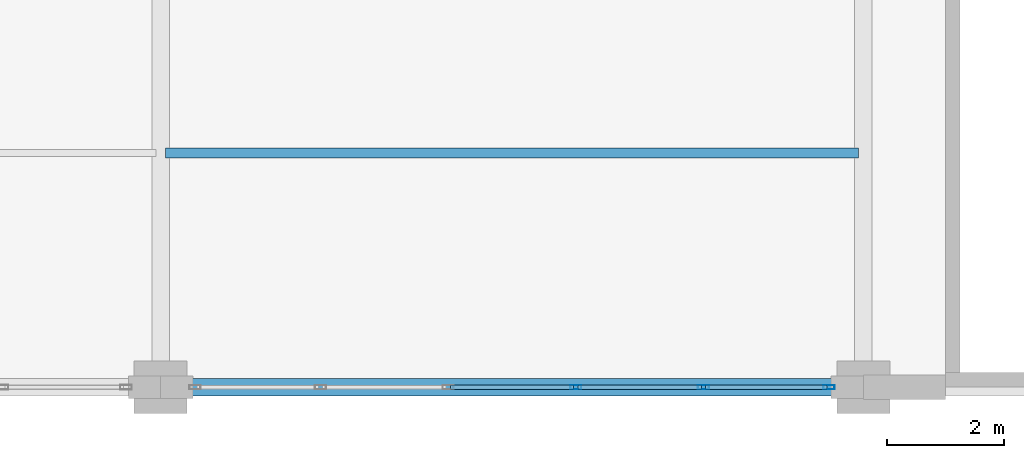
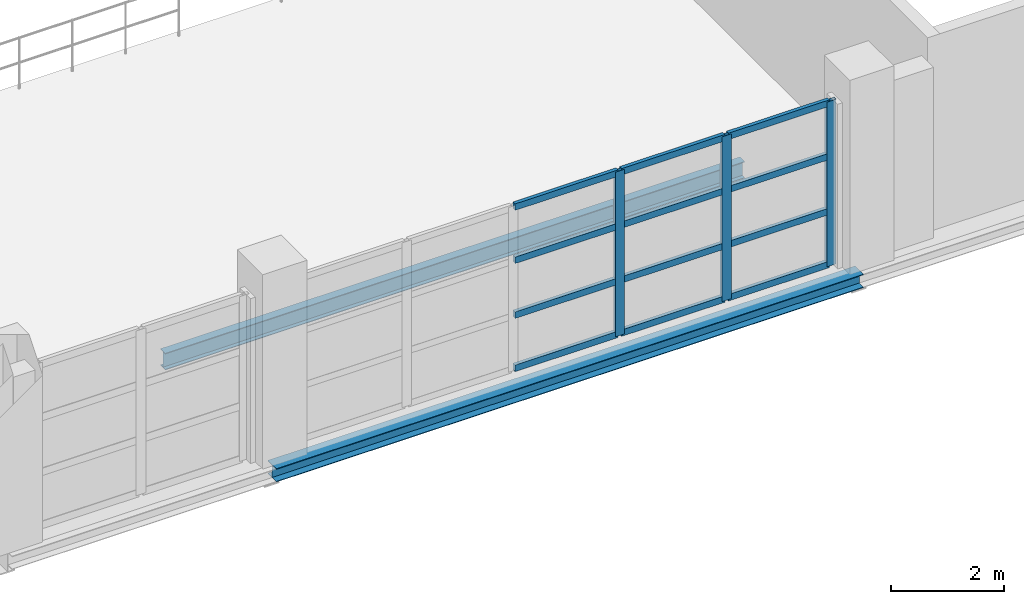
# One storey, part 63 of 158: 15 members, 2 beams, 1 element without a shape of its own.
"""IFC4 building model written with IfcOpenShell, lengths in metres."""

import ifcopenshell
import ifcopenshell.guid

model = None  # the IFC model being written
_history = None  # IfcOwnerHistory: only IFC2X3 demands one
_inside = {}  # id of a spatial element -> (the spatial element, [elements in it])
_under = {}  # id of a project, library or spatial element -> (it, [spatial elements below it])
_declared = {}  # id of a project -> (the project, [libraries it declares])
_typed = {}  # id of a type object -> (the type object, [elements of that type])
_made_of = {}  # id of a material, layer set ... -> (it, [elements and type objects made of it])


def new_model(schema):
    """Start an empty IFC model of exactly this schema.

    Asked for "IFC4X3", IfcOpenShell would pick the latest addendum, in which some entities
    have other attributes; the version numbers below select the first issue.
    IFC2X3 requires an IfcOwnerHistory on every rooted entity: one is made here for all.
    """
    global model, _history
    if schema == "IFC4X3":
        model = ifcopenshell.file(schema_version=(4, 3, 0, 0))
    else:
        model = ifcopenshell.file(schema=schema)
    _inside.clear()
    _under.clear()
    _declared.clear()
    _typed.clear()
    _made_of.clear()
    _history = None
    if model.schema == "IFC2X3":
        org = make("IfcOrganization", Name="unknown")
        user = make(
            "IfcPersonAndOrganization",
            ThePerson=make("IfcPerson", FamilyName="unknown"),
            TheOrganization=org,
        )
        app = make(
            "IfcApplication",
            ApplicationDeveloper=org,
            Version="unknown",
            ApplicationFullName="unknown",
            ApplicationIdentifier="unknown",
        )
        _history = make(
            "IfcOwnerHistory",
            OwningUser=user,
            OwningApplication=app,
            ChangeAction="ADDED",
            CreationDate=0,
        )
    return model


def make(cls, **values):
    """One entity of the class cls with the attributes given. An attribute that is None is left unset."""
    return model.create_entity(
        cls, **{name: value for name, value in values.items() if value is not None}
    )


def rooted(cls, **values):
    """An entity with a GlobalId (a new one), such as an element, a storey or a relation."""
    return make(cls, GlobalId=ifcopenshell.guid.new(), OwnerHistory=_history, **values)


def si_unit(unit_type, name, prefix=None):
    """IfcSIUnit, for example si_unit("LENGTHUNIT", "METRE", prefix="MILLI")."""
    return make("IfcSIUnit", UnitType=unit_type, Prefix=prefix, Name=name)


def assignment(units):
    """IfcUnitAssignment: the units of a project."""
    return None if units is None else make("IfcUnitAssignment", Units=units)


def point(xyz):
    """IfcCartesianPoint."""
    return None if xyz is None else make("IfcCartesianPoint", Coordinates=xyz)


def direction(xyz):
    """IfcDirection."""
    return None if xyz is None else make("IfcDirection", DirectionRatios=xyz)


def frame(location, z_axis=None, x_axis=None):
    """IfcAxis2Placement3D, a coordinate frame: its origin and axes. An axis left out is left unset."""
    return make(
        "IfcAxis2Placement3D",
        Location=point(location),
        Axis=direction(z_axis),
        RefDirection=direction(x_axis),
    )


def frame_2d(location, x_axis=None):
    """IfcAxis2Placement2D, a coordinate frame in the plane: its origin and x axis."""
    return make(
        "IfcAxis2Placement2D", Location=point(location), RefDirection=direction(x_axis)
    )


def origin():
    """The frame at (0, 0, 0) with its axes left unset."""
    return frame((0.0, 0.0, 0.0))


def origin_2d():
    """The frame at (0, 0) in the plane with its x axis left unset."""
    return frame_2d((0.0, 0.0))


def place(relative_to, where):
    """IfcLocalPlacement: puts the frame where relative to a parent placement (None: the world)."""
    return make(
        "IfcLocalPlacement", PlacementRelTo=relative_to, RelativePlacement=where
    )


def context(
    kind, dimensions, precision=None, world=None, true_north=None, identifier=None
):
    """IfcGeometricRepresentationContext, for example the 3D "Model" context."""
    return make(
        "IfcGeometricRepresentationContext",
        ContextIdentifier=identifier,
        ContextType=kind,
        CoordinateSpaceDimension=dimensions,
        Precision=precision,
        WorldCoordinateSystem=world,
        TrueNorth=true_north,
    )


def subcontext(parent, identifier, kind, view, scale=None):
    """IfcGeometricRepresentationSubContext, for example "Body" below "Model"."""
    return make(
        "IfcGeometricRepresentationSubContext",
        ContextIdentifier=identifier,
        ContextType=kind,
        ParentContext=parent,
        TargetScale=scale,
        TargetView=view,
    )


def project(units=None, contexts=None):
    """IfcProject with its units and contexts."""
    return rooted(
        "IfcProject",
        Name="project",
        RepresentationContexts=contexts,
        UnitsInContext=assignment(units),
    )


def spatial(cls, under=None, at=None, **own):
    """A site, building, storey or space (cls), placed at a placement, below another one or the project."""
    s = rooted(cls, ObjectPlacement=at, **own)
    if under is not None:
        _under.setdefault(under.id(), (under, []))[1].append(s)
    return s


def profile(cls, at=None, kind="AREA", **sizes):
    """A parametric profile (cls). Its sizes go by their IFC names, for example OverallWidth=200.0."""
    return make(cls, ProfileType=kind, Position=at, **sizes)


def hollow_rectangle(**sizes):
    """IfcRectangleHollowProfileDef."""
    return profile("IfcRectangleHollowProfileDef", **sizes)


def i_section(**sizes):
    """IfcIShapeProfileDef."""
    return profile("IfcIShapeProfileDef", **sizes)


def extrude(swept, where, along, depth):
    """IfcExtrudedAreaSolid: the profile swept, set in the frame where, extruded along a direction by depth."""
    return make(
        "IfcExtrudedAreaSolid",
        SweptArea=swept,
        Position=where,
        ExtrudedDirection=direction(along),
        Depth=depth,
    )


def shape(context_of_items, identifier, shape_type, items):
    """IfcShapeRepresentation: the items that make up one representation, for example the "Body"."""
    return make(
        "IfcShapeRepresentation",
        ContextOfItems=context_of_items,
        RepresentationIdentifier=identifier,
        RepresentationType=shape_type,
        Items=items,
    )


def material(Name=None, Category=None):
    """IfcMaterial."""
    return make("IfcMaterial", Name=Name, Category=Category)


def layer(
    of_material, thickness, ventilated=None, Name=None, Category=None, Priority=None
):
    """IfcMaterialLayer: one layer of a wall or slab, of a material (None: an air gap)."""
    return make(
        "IfcMaterialLayer",
        Material=of_material,
        LayerThickness=thickness,
        IsVentilated=ventilated,
        Name=Name,
        Category=Category,
        Priority=Priority,
    )


def layer_set(layers, Name=None):
    """IfcMaterialLayerSet."""
    return make("IfcMaterialLayerSet", MaterialLayers=layers, LayerSetName=Name)


def material_profile(
    of_material, cross_section, Name=None, Category=None, Priority=None
):
    """IfcMaterialProfile: a cross section and its material."""
    return make(
        "IfcMaterialProfile",
        Name=Name,
        Material=of_material,
        Profile=cross_section,
        Priority=Priority,
        Category=Category,
    )


def profile_set(profiles, Name=None, composite=None):
    """IfcMaterialProfileSet."""
    return make(
        "IfcMaterialProfileSet",
        Name=Name,
        MaterialProfiles=profiles,
        CompositeProfile=composite,
    )


def made_of(thing, what):
    """Note that an element or type object is made of a material, layer set ...; save() writes the relation."""
    if what is not None:
        _made_of.setdefault(what.id(), (what, []))[1].append(thing)
    return thing


def type_object(cls, material=None, **own):
    """A type object (cls), such as IfcWallType, which elements share."""
    return made_of(rooted(cls, **own), material)


def element(
    cls,
    number,
    at=None,
    inside=None,
    cuts=None,
    type_object=None,
    material=None,
    context=None,
    identifier="Body",
    shape_type=None,
    held_by="IfcProductDefinitionShape",
    body=None,
    shapes=None,
    **own,
):
    """One element of the class cls, such as IfcWall. Its Tag is "e" and its number.

    at: its placement. inside: the storey or other place that contains it. cuts: it is an
    opening in that element (IfcRelVoidsElement). A single representation is given by context,
    identifier, shape_type and body (its items); several are given by shapes. held_by: the class
    of the entity that holds the representations. save() writes the other relations.
    """
    e = rooted(cls, Tag="e%d" % number, ObjectPlacement=at, **own)
    if body is not None:
        shapes = [shape(context, identifier, shape_type, body)]
    if shapes is not None:
        e.Representation = make(held_by, Representations=shapes)
    if inside is not None:
        _inside.setdefault(inside.id(), (inside, []))[1].append(e)
    if cuts is not None:
        rooted(
            "IfcRelVoidsElement", RelatingBuildingElement=cuts, RelatedOpeningElement=e
        )
    if type_object is not None:
        _typed.setdefault(type_object.id(), (type_object, []))[1].append(e)
    return made_of(e, material)


def aggregate(whole, parts):
    """IfcRelAggregates: a whole, such as a stair, and the parts it consists of."""
    return rooted("IfcRelAggregates", RelatingObject=whole, RelatedObjects=parts)


def save(model, path):
    """Write the relations noted so far, then the file.

    IfcRelAggregates (storeys below a building ...), IfcRelContainedInSpatialStructure (elements
    in a storey), IfcRelDefinesByType, IfcRelAssociatesMaterial and IfcRelDeclares: one each for
    every whole, place, type object, material and project.
    """
    for whole, parts in _under.values():
        aggregate(whole, parts)
    for where, things in _inside.values():
        rooted(
            "IfcRelContainedInSpatialStructure",
            RelatedElements=things,
            RelatingStructure=where,
        )
    for kind, things in _typed.values():
        rooted("IfcRelDefinesByType", RelatedObjects=things, RelatingType=kind)
    for what, things in _made_of.values():
        rooted("IfcRelAssociatesMaterial", RelatedObjects=things, RelatingMaterial=what)
    for by, libraries in _declared.values():
        rooted("IfcRelDeclares", RelatingContext=by, RelatedDefinitions=libraries)
    model.write(path)


model = new_model("IFC4")

# Units and contexts
model_context = context("Model", 3, precision=1e-05, world=origin(), true_north=direction((0.0, 1.0)))
body_context = subcontext(model_context, "Body", "Model", "MODEL_VIEW")
ifc_project = project(units=[si_unit("LENGTHUNIT", "METRE"), si_unit("AREAUNIT", "SQUARE_METRE"), si_unit("VOLUMEUNIT", "CUBIC_METRE"), si_unit("PLANEANGLEUNIT", "RADIAN"), si_unit("MASSUNIT", "GRAM", prefix="KILO")], contexts=[model_context])

# Site, building, storey
site_placement = place(None, origin())
site = spatial("IfcSite", under=ifc_project, at=site_placement, CompositionType="ELEMENT")
building_placement = place(site_placement, origin())
building = spatial("IfcBuilding", under=site, at=building_placement, Name="Zilviju Railside Exhibition Hall", CompositionType="ELEMENT")
storey_placement = place(building_placement, frame((0.0, 0.0, 4.199951171875)))
storey = spatial("IfcBuildingStorey", under=building, at=storey_placement, Name="L02", CompositionType="ELEMENT", Elevation=4.199951171875)

# Beams
ifc_material_1 = material(Name="Steel S355J2", Category="steel")
ifc_material_profile_1 = material_profile(ifc_material_1, i_section(OverallWidth=0.300048828125, OverallDepth=0.2900390625, WebThickness=0.008544921875, FlangeThickness=0.013916015625, at=origin_2d()), Name="HEA 300")
ifc_profile_set_1 = profile_set([ifc_material_profile_1], Name="Steel S355J2")
beam_type_1 = type_object("IfcBeamType", Name="BM-HEA300", PredefinedType="SPANDREL", material=ifc_profile_set_1)
beam_1_placement = place(storey_placement, frame((132.0, 0.0, -0.474853515625), z_axis=(1.0, 0.0, 0.0), x_axis=(0.0, 1.0, 0.0)))
element("IfcBeam", 1, at=beam_1_placement, inside=storey, type_object=beam_type_1, Name="Primary Girder L02 Y=0.0 (132.0..144.0)", PredefinedType="SPANDREL", context=body_context, shape_type="SweptSolid", body=[
    extrude(i_section(OverallWidth=0.300048828125, OverallDepth=0.2900390625, WebThickness=0.008544921875, FlangeThickness=0.013916015625, at=origin_2d()), origin(), (0.0, 0.0, 1.0), 12.0),
])
ifc_material_profile_2 = material_profile(ifc_material_1, i_section(OverallWidth=0.169921875, OverallDepth=0.360107421875, WebThickness=0.008056640625, FlangeThickness=0.0126953125, at=origin_2d()), Name="IPE 360")
ifc_profile_set_2 = profile_set([ifc_material_profile_2], Name="Steel S355J2")
beam_type_2 = type_object("IfcBeamType", Name="BM-IPE360", PredefinedType="JOIST", material=ifc_profile_set_2)
beam_2_placement = place(storey_placement, frame((132.080078125, 4.0, -0.510009765625), z_axis=(1.0, 0.0, 0.0), x_axis=(0.0, 1.0, 0.0)))
element("IfcBeam", 2, at=beam_2_placement, inside=storey, type_object=beam_type_2, Name="Composite Floor Joist L02 Y=4.00 (132.0..144.0)", PredefinedType="JOIST", context=body_context, shape_type="SweptSolid", body=[
    extrude(i_section(OverallWidth=0.169921875, OverallDepth=0.360107421875, WebThickness=0.008056640625, FlangeThickness=0.0126953125, at=origin_2d()), origin(), (0.0, 0.0, 1.0), 11.83984375),
])

# Curtain wall, members
ifc_material_2 = material(Name="Thermally broken aluminium-steel triple-glazed curtain wall", Category="steel")
ifc_layer = layer(ifc_material_2, 0.179931640625)
ifc_layer_set = layer_set([ifc_layer], Name="Thermally broken aluminium-steel triple-glazed curtain wall")
curtain_wall_type = type_object("IfcCurtainWallType", Name="CW-BAY-11", PredefinedType="USERDEFINED", material=ifc_layer_set)
curtain_wall_placement = place(storey_placement, origin())
curtain_wall = element("IfcCurtainWall", 3, at=curtain_wall_placement, inside=storey, type_object=curtain_wall_type, Name="South Hall Facade Curtain Wall L02 (132..144)", ObjectType="GLAZED CURTAIN WALL", PredefinedType="USERDEFINED")
ifc_material_3 = material(Name="Thermally broken anodized aluminium mullion", Category="aluminium")
ifc_material_profile_3 = material_profile(ifc_material_3, hollow_rectangle(XDim=0.074951171875, YDim=0.18994140625, WallThickness=0.0048828125, at=origin_2d()), Name="MULLION 190x75x5")
ifc_profile_set_3 = profile_set([ifc_material_profile_3], Name="Thermally broken anodized aluminium mullion")
member_type_1 = type_object("IfcMemberType", Name="CWM-75x190", PredefinedType="MULLION", material=ifc_profile_set_3)
member_1_placement = place(storey_placement, frame((143.41259765625, 0.0, 0.0), z_axis=(0.0, 0.0, 1.0), x_axis=(0.0, -1.0, 0.0)))
member_1 = element("IfcMember", 4, at=member_1_placement, type_object=member_type_1, Name="CW-11 mullion 1", PredefinedType="MULLION", context=body_context, shape_type="SweptSolid", body=[
    extrude(hollow_rectangle(XDim=0.074951171875, YDim=0.18994140625, WallThickness=0.0048828125, at=origin_2d()), origin(), (0.0, 0.0, 1.0), 3.56005859375),
])
member_2_placement = place(storey_placement, frame((141.27001953125, 0.0, 0.0), z_axis=(0.0, 0.0, 1.0), x_axis=(0.0, -1.0, 0.0)))
member_2 = element("IfcMember", 5, at=member_2_placement, type_object=member_type_1, Name="CW-11 mullion 2", PredefinedType="MULLION", context=body_context, shape_type="SweptSolid", body=[
    extrude(hollow_rectangle(XDim=0.074951171875, YDim=0.18994140625, WallThickness=0.0048828125, at=origin_2d()), origin(), (0.0, 0.0, 1.0), 3.56005859375),
])
member_3_placement = place(storey_placement, frame((139.090087890625, 0.0, 0.0), z_axis=(0.0, 0.0, 1.0), x_axis=(0.0, -1.0, 0.0)))
member_3 = element("IfcMember", 6, at=member_3_placement, type_object=member_type_1, Name="CW-11 mullion 3", PredefinedType="MULLION", context=body_context, shape_type="SweptSolid", body=[
    extrude(hollow_rectangle(XDim=0.074951171875, YDim=0.18994140625, WallThickness=0.0048828125, at=origin_2d()), origin(), (0.0, 0.0, 1.0), 3.56005859375),
])
ifc_material_4 = material(Name="Thermally broken anodized aluminium transom", Category="aluminium")
ifc_material_profile_4 = material_profile(ifc_material_4, hollow_rectangle(XDim=0.074951171875, YDim=0.139892578125, WallThickness=0.0048828125, at=origin_2d()), Name="TRANSOM 140x75x5")
ifc_profile_set_4 = profile_set([ifc_material_profile_4], Name="Thermally broken anodized aluminium transom")
member_type_2 = type_object("IfcMemberType", Name="CWT-75x140", PredefinedType="USERDEFINED", material=ifc_profile_set_4)
member_4_placement = place(storey_placement, frame((143.375, 0.0, 0.03759765625), z_axis=(-1.0, 0.0, 0.0), x_axis=(0.0, -1.0, 0.0)))
member_4 = element("IfcMember", 7, at=member_4_placement, type_object=member_type_2, Name="CW-11 transom 1.1", ObjectType="TRANSOM", PredefinedType="USERDEFINED", context=body_context, shape_type="SweptSolid", body=[
    extrude(hollow_rectangle(XDim=0.074951171875, YDim=0.139892578125, WallThickness=0.0048828125, at=origin_2d()), origin(), (0.0, 0.0, 1.0), 2.0673828125),
])
member_5_placement = place(storey_placement, frame((143.375, 0.0, 1.18701171875), z_axis=(-1.0, 0.0, 0.0), x_axis=(0.0, -1.0, 0.0)))
member_5 = element("IfcMember", 8, at=member_5_placement, type_object=member_type_2, Name="CW-11 transom 1.2", ObjectType="TRANSOM", PredefinedType="USERDEFINED", context=body_context, shape_type="SweptSolid", body=[
    extrude(hollow_rectangle(XDim=0.074951171875, YDim=0.139892578125, WallThickness=0.0048828125, at=origin_2d()), origin(), (0.0, 0.0, 1.0), 2.0673828125),
])
member_6_placement = place(storey_placement, frame((143.375, 0.0, 2.373046875), z_axis=(-1.0, 0.0, 0.0), x_axis=(0.0, -1.0, 0.0)))
member_6 = element("IfcMember", 9, at=member_6_placement, type_object=member_type_2, Name="CW-11 transom 1.3", ObjectType="TRANSOM", PredefinedType="USERDEFINED", context=body_context, shape_type="SweptSolid", body=[
    extrude(hollow_rectangle(XDim=0.074951171875, YDim=0.139892578125, WallThickness=0.0048828125, at=origin_2d()), origin(), (0.0, 0.0, 1.0), 2.0673828125),
])
member_7_placement = place(storey_placement, frame((143.375, 0.0, 3.5224609375), z_axis=(-1.0, 0.0, 0.0), x_axis=(0.0, -1.0, 0.0)))
member_7 = element("IfcMember", 10, at=member_7_placement, type_object=member_type_2, Name="CW-11 transom 1.4", ObjectType="TRANSOM", PredefinedType="USERDEFINED", context=body_context, shape_type="SweptSolid", body=[
    extrude(hollow_rectangle(XDim=0.074951171875, YDim=0.139892578125, WallThickness=0.0048828125, at=origin_2d()), origin(), (0.0, 0.0, 1.0), 2.0673828125),
])
member_8_placement = place(storey_placement, frame((141.232421875, 0.0, 0.03759765625), z_axis=(-1.0, 0.0, 0.0), x_axis=(0.0, -1.0, 0.0)))
member_8 = element("IfcMember", 11, at=member_8_placement, type_object=member_type_2, Name="CW-11 transom 2.1", ObjectType="TRANSOM", PredefinedType="USERDEFINED", context=body_context, shape_type="SweptSolid", body=[
    extrude(hollow_rectangle(XDim=0.074951171875, YDim=0.139892578125, WallThickness=0.0048828125, at=origin_2d()), origin(), (0.0, 0.0, 1.0), 2.10498046875),
])
member_9_placement = place(storey_placement, frame((141.232421875, 0.0, 1.18701171875), z_axis=(-1.0, 0.0, 0.0), x_axis=(0.0, -1.0, 0.0)))
member_9 = element("IfcMember", 12, at=member_9_placement, type_object=member_type_2, Name="CW-11 transom 2.2", ObjectType="TRANSOM", PredefinedType="USERDEFINED", context=body_context, shape_type="SweptSolid", body=[
    extrude(hollow_rectangle(XDim=0.074951171875, YDim=0.139892578125, WallThickness=0.0048828125, at=origin_2d()), origin(), (0.0, 0.0, 1.0), 2.10498046875),
])
member_10_placement = place(storey_placement, frame((141.232421875, 0.0, 2.373046875), z_axis=(-1.0, 0.0, 0.0), x_axis=(0.0, -1.0, 0.0)))
member_10 = element("IfcMember", 13, at=member_10_placement, type_object=member_type_2, Name="CW-11 transom 2.3", ObjectType="TRANSOM", PredefinedType="USERDEFINED", context=body_context, shape_type="SweptSolid", body=[
    extrude(hollow_rectangle(XDim=0.074951171875, YDim=0.139892578125, WallThickness=0.0048828125, at=origin_2d()), origin(), (0.0, 0.0, 1.0), 2.10498046875),
])
member_11_placement = place(storey_placement, frame((141.232421875, 0.0, 3.5224609375), z_axis=(-1.0, 0.0, 0.0), x_axis=(0.0, -1.0, 0.0)))
member_11 = element("IfcMember", 14, at=member_11_placement, type_object=member_type_2, Name="CW-11 transom 2.4", ObjectType="TRANSOM", PredefinedType="USERDEFINED", context=body_context, shape_type="SweptSolid", body=[
    extrude(hollow_rectangle(XDim=0.074951171875, YDim=0.139892578125, WallThickness=0.0048828125, at=origin_2d()), origin(), (0.0, 0.0, 1.0), 2.10498046875),
])
member_12_placement = place(storey_placement, frame((139.052490234375, 0.0, 0.03759765625), z_axis=(-1.0, 0.0, 0.0), x_axis=(0.0, -1.0, 0.0)))
member_12 = element("IfcMember", 15, at=member_12_placement, type_object=member_type_2, Name="CW-11 transom 3.1", ObjectType="TRANSOM", PredefinedType="USERDEFINED", context=body_context, shape_type="SweptSolid", body=[
    extrude(hollow_rectangle(XDim=0.074951171875, YDim=0.139892578125, WallThickness=0.0048828125, at=origin_2d()), origin(), (0.0, 0.0, 1.0), 2.10498046875),
])
member_13_placement = place(storey_placement, frame((139.052490234375, 0.0, 1.18701171875), z_axis=(-1.0, 0.0, 0.0), x_axis=(0.0, -1.0, 0.0)))
member_13 = element("IfcMember", 16, at=member_13_placement, type_object=member_type_2, Name="CW-11 transom 3.2", ObjectType="TRANSOM", PredefinedType="USERDEFINED", context=body_context, shape_type="SweptSolid", body=[
    extrude(hollow_rectangle(XDim=0.074951171875, YDim=0.139892578125, WallThickness=0.0048828125, at=origin_2d()), origin(), (0.0, 0.0, 1.0), 2.10498046875),
])
member_14_placement = place(storey_placement, frame((139.052490234375, 0.0, 2.373046875), z_axis=(-1.0, 0.0, 0.0), x_axis=(0.0, -1.0, 0.0)))
member_14 = element("IfcMember", 17, at=member_14_placement, type_object=member_type_2, Name="CW-11 transom 3.3", ObjectType="TRANSOM", PredefinedType="USERDEFINED", context=body_context, shape_type="SweptSolid", body=[
    extrude(hollow_rectangle(XDim=0.074951171875, YDim=0.139892578125, WallThickness=0.0048828125, at=origin_2d()), origin(), (0.0, 0.0, 1.0), 2.10498046875),
])
member_15_placement = place(storey_placement, frame((139.052490234375, 0.0, 3.5224609375), z_axis=(-1.0, 0.0, 0.0), x_axis=(0.0, -1.0, 0.0)))
member_15 = element("IfcMember", 18, at=member_15_placement, type_object=member_type_2, Name="CW-11 transom 3.4", ObjectType="TRANSOM", PredefinedType="USERDEFINED", context=body_context, shape_type="SweptSolid", body=[
    extrude(hollow_rectangle(XDim=0.074951171875, YDim=0.139892578125, WallThickness=0.0048828125, at=origin_2d()), origin(), (0.0, 0.0, 1.0), 2.10498046875),
])
aggregate(curtain_wall, [member_1, member_2, member_3, member_4, member_5, member_6, member_7, member_8, member_9, member_10, member_11, member_12, member_13, member_14, member_15])

save(model, "model.ifc")
